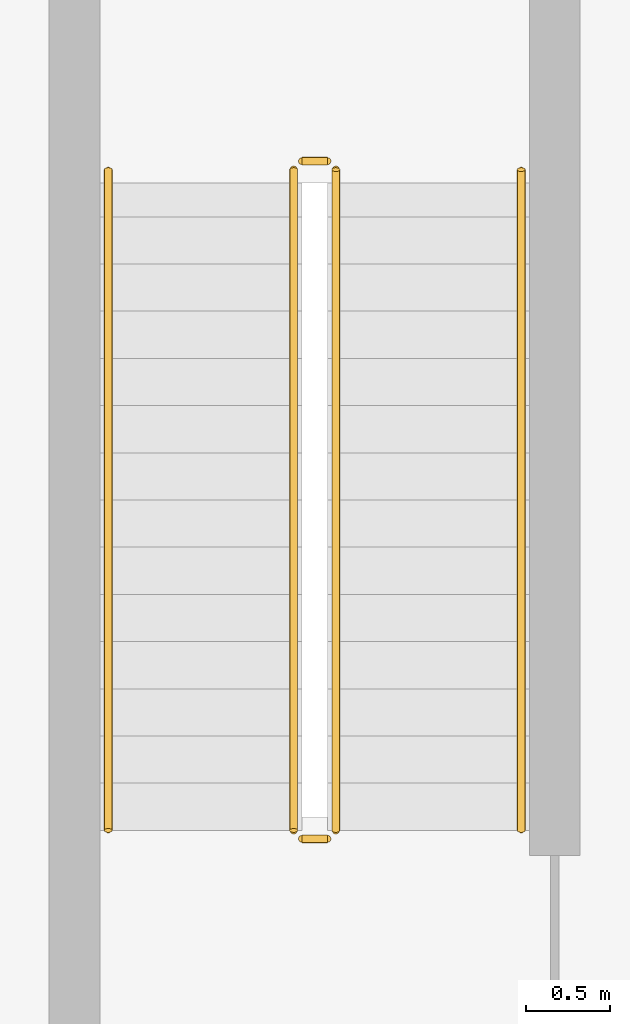
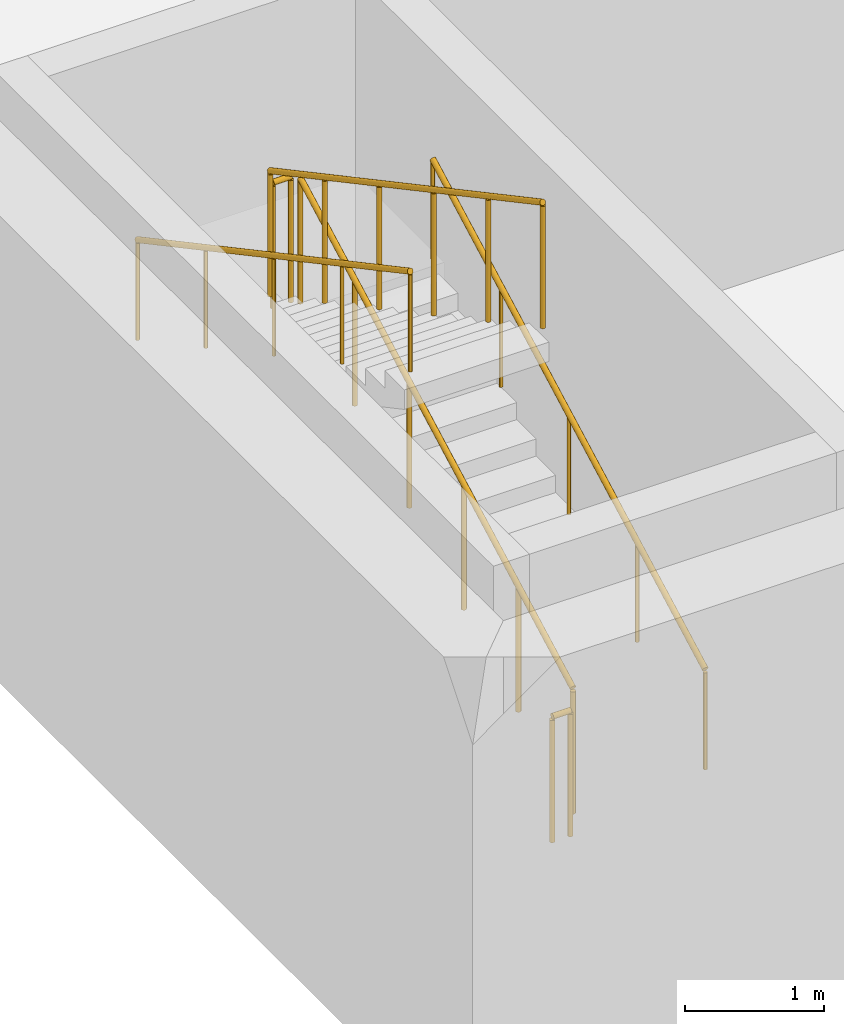
# One storey, part 16 of 21: 6 railings.
"""IFC4 building model written with IfcOpenShell, lengths in metres."""

from ifc_helpers import new_model, si_unit, direction, frame, origin, origin_2d, place, context, subcontext, project, spatial, circle, extrude, material, type_object, element, save


model = new_model("IFC4")

# Units and contexts
model_context = context("Model", 3, precision=1e-05, world=origin(), true_north=direction((0.0, 1.0)))
body_context = subcontext(model_context, "Body", "Model", "MODEL_VIEW")
ifc_project = project(units=[si_unit("LENGTHUNIT", "METRE"), si_unit("AREAUNIT", "SQUARE_METRE"), si_unit("VOLUMEUNIT", "CUBIC_METRE"), si_unit("PLANEANGLEUNIT", "RADIAN"), si_unit("MASSUNIT", "GRAM", prefix="KILO")], contexts=[model_context])

# Site, building, storey
site_placement = place(None, origin())
site = spatial("IfcSite", under=ifc_project, at=site_placement, CompositionType="ELEMENT")
building_placement = place(site_placement, origin())
building = spatial("IfcBuilding", under=site, at=building_placement, Name="Trine Commons Tower", CompositionType="ELEMENT")
storey_placement = place(building_placement, frame((0.0, 0.0, -4.5)))
storey = spatial("IfcBuildingStorey", under=building, at=storey_placement, Name="B1", CompositionType="ELEMENT", Elevation=-4.5)

# Railings
ifc_material = material(Name="Structural steel ASTM A500 Gr C", Category="steel")
railing_type_1 = type_object("IfcRailingType", Name="Steel guard 1120 mm, ASTM A500 Gr C", PredefinedType="GUARDRAIL", material=ifc_material)
railing_1_placement = place(storey_placement, frame((23.85009765625, 23.64990234375, 0.14990234375)))
element("IfcRailing", 1, at=railing_1_placement, inside=storey, type_object=railing_type_1, Name="B1 STB1 stair guard 1", PredefinedType="GUARDRAIL", context=body_context, shape_type="SweptSolid", body=[
    extrude(circle(Radius=0.02392578125, at=origin_2d()), frame((0.0, 0.0, 1.09619140625), z_axis=(0.0, 0.881479153919, 0.472222935917), x_axis=(-1.0, 0.0, 0.0)), (0.0, 0.0, 1.0), 4.447265625),
    extrude(circle(Radius=0.02099609375, at=origin_2d()), origin(), (0.0, 0.0, 1.0), 1.072021484375),
    extrude(circle(Radius=0.02099609375, at=origin_2d()), frame((0.0, 0.783935546875, 0.419921875)), (0.0, 0.0, 1.0), 1.072021484375),
    extrude(circle(Radius=0.02099609375, at=origin_2d()), frame((0.0, 1.568115234375, 0.840087890625)), (0.0, 0.0, 1.0), 1.072021484375),
    extrude(circle(Radius=0.02099609375, at=origin_2d()), frame((0.0, 2.35205078125, 1.260009765625)), (0.0, 0.0, 1.0), 1.072021484375),
    extrude(circle(Radius=0.02099609375, at=origin_2d()), frame((0.0, 3.13623046875, 1.68017578125)), (0.0, 0.0, 1.0), 1.072021484375),
    extrude(circle(Radius=0.02099609375, at=origin_2d()), frame((0.0, 3.920166015625, 2.10009765625)), (0.0, 0.0, 1.0), 1.072021484375),
])
railing_2_placement = place(storey_placement, frame((23.800048828125, 27.6201171875, 2.25)))
element("IfcRailing", 2, at=railing_2_placement, inside=storey, type_object=railing_type_1, Name="B1 STB1 stair guard 2", PredefinedType="GUARDRAIL", context=body_context, shape_type="SweptSolid", body=[
    extrude(circle(Radius=0.02392578125, at=origin_2d()), frame((0.0, 0.0, 1.09619140625), z_axis=(-1.0, 0.0, 0.0), x_axis=(0.0, -1.0, 0.0)), (0.0, 0.0, 1.0), 0.150146484375),
    extrude(circle(Radius=0.02099609375, at=origin_2d()), origin(), (0.0, 0.0, 1.0), 1.072021484375),
    extrude(circle(Radius=0.02099609375, at=origin_2d()), frame((-0.150146484375, 0.0, 0.0)), (0.0, 0.0, 1.0), 1.072021484375),
])
railing_3_placement = place(storey_placement, frame((23.60009765625, 27.570068359375, 2.39990234375)))
element("IfcRailing", 3, at=railing_3_placement, inside=storey, type_object=railing_type_1, Name="B1 STB1 stair guard 3", PredefinedType="GUARDRAIL", context=body_context, shape_type="SweptSolid", body=[
    extrude(circle(Radius=0.02392578125, at=origin_2d()), frame((0.0, 0.0, 1.09619140625), z_axis=(0.0, -0.881479153919, 0.472222935917), x_axis=(1.0, 0.0, 0.0)), (0.0, 0.0, 1.0), 4.447265625),
    extrude(circle(Radius=0.02099609375, at=origin_2d()), origin(), (0.0, 0.0, 1.0), 1.072021484375),
    extrude(circle(Radius=0.02099609375, at=origin_2d()), frame((0.0, -0.783935546875, 0.419921875)), (0.0, 0.0, 1.0), 1.072021484375),
    extrude(circle(Radius=0.02099609375, at=origin_2d()), frame((0.0, -1.568115234375, 0.840087890625)), (0.0, 0.0, 1.0), 1.072021484375),
    extrude(circle(Radius=0.02099609375, at=origin_2d()), frame((0.0, -2.35205078125, 1.260009765625)), (0.0, 0.0, 1.0), 1.072021484375),
    extrude(circle(Radius=0.02099609375, at=origin_2d()), frame((0.0, -3.13623046875, 1.68017578125)), (0.0, 0.0, 1.0), 1.072021484375),
    extrude(circle(Radius=0.02099609375, at=origin_2d()), frame((0.0, -3.920166015625, 2.10009765625)), (0.0, 0.0, 1.0), 1.072021484375),
])
railing_4_placement = place(storey_placement, frame((23.800048828125, 23.60009765625, 0.0)))
element("IfcRailing", 4, at=railing_4_placement, inside=storey, type_object=railing_type_1, Name="B1 STB1 stair guard 4", PredefinedType="GUARDRAIL", context=body_context, shape_type="SweptSolid", body=[
    extrude(circle(Radius=0.02392578125, at=origin_2d()), frame((0.0, 0.0, 1.09619140625), z_axis=(-1.0, 0.0, 0.0), x_axis=(0.0, -1.0, 0.0)), (0.0, 0.0, 1.0), 0.150146484375),
    extrude(circle(Radius=0.02099609375, at=origin_2d()), origin(), (0.0, 0.0, 1.0), 1.072021484375),
    extrude(circle(Radius=0.02099609375, at=origin_2d()), frame((-0.150146484375, 0.0, 0.0)), (0.0, 0.0, 1.0), 1.072021484375),
])
railing_type_2 = type_object("IfcRailingType", Name="Steel handrail 900 mm, ASTM A500 Gr C", PredefinedType="HANDRAIL", material=ifc_material)
railing_5_placement = place(storey_placement, frame((24.949951171875, 23.64990234375, 0.14990234375)))
element("IfcRailing", 5, at=railing_5_placement, inside=storey, type_object=railing_type_2, Name="B1 STB1 stair handrail 1", PredefinedType="HANDRAIL", context=body_context, shape_type="SweptSolid", body=[
    extrude(circle(Radius=0.02392578125, at=origin_2d()), frame((0.0, 0.0, 0.8759765625), z_axis=(0.0, 0.881479153919, 0.472222935917), x_axis=(-1.0, 0.0, 0.0)), (0.0, 0.0, 1.0), 4.447265625),
    extrude(circle(Radius=0.01513671875, at=origin_2d()), origin(), (0.0, 0.0, 1.0), 0.851806640625),
    extrude(circle(Radius=0.01513671875, at=origin_2d()), frame((0.0, 0.97998046875, 0.52490234375)), (0.0, 0.0, 1.0), 0.851806640625),
    extrude(circle(Radius=0.01513671875, at=origin_2d()), frame((0.0, 1.9599609375, 1.050048828125)), (0.0, 0.0, 1.0), 0.851806640625),
    extrude(circle(Radius=0.01513671875, at=origin_2d()), frame((0.0, 2.940185546875, 1.5751953125)), (0.0, 0.0, 1.0), 0.851806640625),
    extrude(circle(Radius=0.01513671875, at=origin_2d()), frame((0.0, 3.920166015625, 2.10009765625)), (0.0, 0.0, 1.0), 0.851806640625),
])
railing_6_placement = place(storey_placement, frame((22.5, 27.570068359375, 2.39990234375)))
element("IfcRailing", 6, at=railing_6_placement, inside=storey, type_object=railing_type_2, Name="B1 STB1 stair handrail 2", PredefinedType="HANDRAIL", context=body_context, shape_type="SweptSolid", body=[
    extrude(circle(Radius=0.02392578125, at=origin_2d()), frame((0.0, 0.0, 0.8759765625), z_axis=(0.0, -0.881479153919, 0.472222935917), x_axis=(1.0, 0.0, 0.0)), (0.0, 0.0, 1.0), 4.447265625),
    extrude(circle(Radius=0.01513671875, at=origin_2d()), origin(), (0.0, 0.0, 1.0), 0.851806640625),
    extrude(circle(Radius=0.01513671875, at=origin_2d()), frame((0.0, -0.97998046875, 0.52490234375)), (0.0, 0.0, 1.0), 0.851806640625),
    extrude(circle(Radius=0.01513671875, at=origin_2d()), frame((0.0, -1.9599609375, 1.050048828125)), (0.0, 0.0, 1.0), 0.851806640625),
    extrude(circle(Radius=0.01513671875, at=origin_2d()), frame((0.0, -2.940185546875, 1.5751953125)), (0.0, 0.0, 1.0), 0.851806640625),
    extrude(circle(Radius=0.01513671875, at=origin_2d()), frame((0.0, -3.920166015625, 2.10009765625)), (0.0, 0.0, 1.0), 0.851806640625),
])

save(model, "model.ifc")
